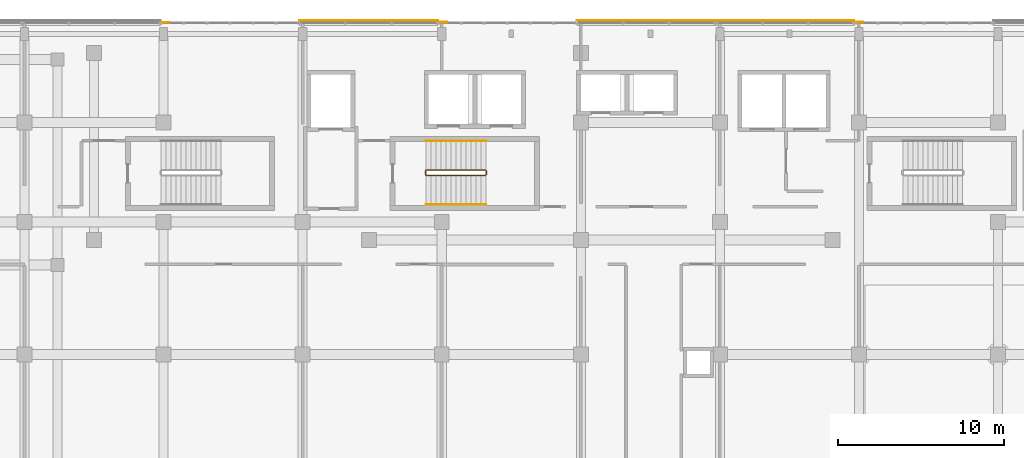
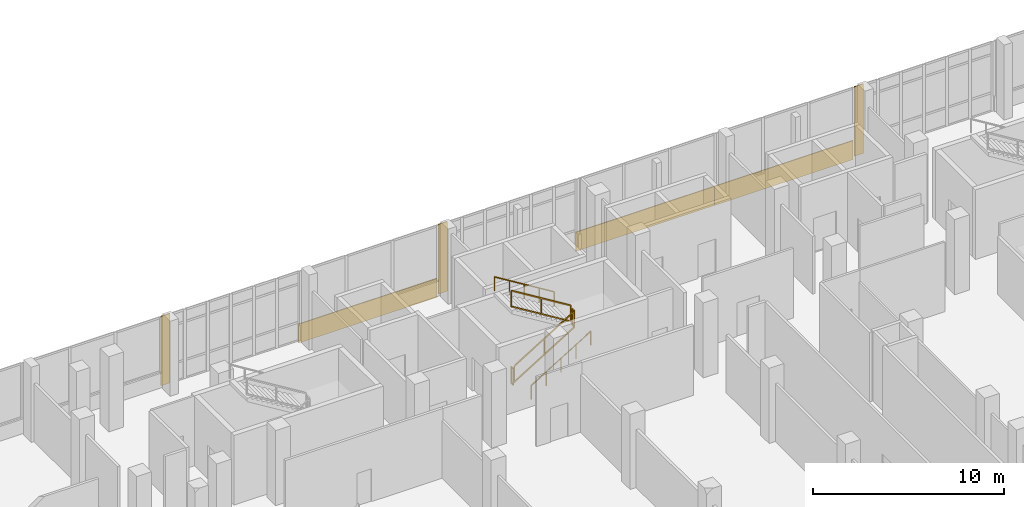
# One storey, part 165 of 168: 6 coverings, 6 railings.
"""IFC4 building model written with IfcOpenShell, lengths in metres."""

from ifc_helpers import new_model, si_unit, direction, frame, origin, origin_2d, place, context, subcontext, project, spatial, rectangle, circle, extrude, material, layer, layer_set, type_object, element, save


model = new_model("IFC4")

# Units and contexts
model_context = context("Model", 3, precision=1e-05, world=origin(), true_north=direction((0.0, 1.0)))
body_context = subcontext(model_context, "Body", "Model", "MODEL_VIEW")
ifc_project = project(units=[si_unit("LENGTHUNIT", "METRE"), si_unit("AREAUNIT", "SQUARE_METRE"), si_unit("VOLUMEUNIT", "CUBIC_METRE"), si_unit("PLANEANGLEUNIT", "RADIAN"), si_unit("MASSUNIT", "GRAM", prefix="KILO")], contexts=[model_context])

# Site, building, storey
site_placement = place(None, origin())
site = spatial("IfcSite", under=ifc_project, at=site_placement, CompositionType="ELEMENT")
building_placement = place(site_placement, origin())
building = spatial("IfcBuilding", under=site, at=building_placement, Name="Selatvlak General Hospital", CompositionType="ELEMENT")
storey_placement = place(building_placement, frame((0.0, 0.0, 5.39990234375)))
storey = spatial("IfcBuildingStorey", under=building, at=storey_placement, Name="L01", CompositionType="ELEMENT", Elevation=5.39990234375)

# Coverings
ifc_material_1 = material(Name="White Bauhaus fair-faced cladding panel")
ifc_layer = layer(ifc_material_1, 0.054931640625, Name="White Bauhaus fair-faced cladding panel")
ifc_layer_set = layer_set([ifc_layer], Name="White Bauhaus fair-faced cladding panel")
covering_type = type_object("IfcCoveringType", Name="COV-WHT1", PredefinedType="CLADDING", material=ifc_layer_set)
covering_1_placement = place(storey_placement, frame((90.094970703125, 120.0439453125, 0.00048828125), z_axis=(0.0, 0.0, 1.0), x_axis=(1.0, 0.0, 0.0)))
element("IfcCovering", 1, at=covering_1_placement, inside=storey, type_object=covering_type, Name="L01 Bauhaus vertical core pilaster 0059", PredefinedType="CLADDING", context=body_context, shape_type="SweptSolid", body=[
    extrude(rectangle(XDim=0.550048828125, YDim=0.054931640625, at=origin_2d()), origin(), (0.0, 0.0, 1.0), 4.445068359375),
])
covering_2_placement = place(storey_placement, frame((102.388916015625, 120.1640625, -0.27978515625), z_axis=(0.0, 0.0, 1.0), x_axis=(0.999999992537, 0.000122173047, 0.0)))
element("IfcCovering", 2, at=covering_2_placement, inside=storey, type_object=covering_type, Name="L01 Bauhaus horizontal white spandrel band 0060", PredefinedType="CLADDING", context=body_context, shape_type="SweptSolid", body=[
    extrude(rectangle(XDim=8.37890625, YDim=0.054931640625, at=origin_2d()), origin(), (0.0, 0.0, 1.0), 1.219970703125),
])
covering_3_placement = place(storey_placement, frame((106.85400390625, 120.044921875, 0.00048828125), z_axis=(0.0, 0.0, 1.0), x_axis=(1.0, 0.0, 0.0)))
element("IfcCovering", 3, at=covering_3_placement, inside=storey, type_object=covering_type, Name="L01 Bauhaus vertical core pilaster 0061", PredefinedType="CLADDING", context=body_context, shape_type="SweptSolid", body=[
    extrude(rectangle(XDim=0.550048828125, YDim=0.054931640625, at=origin_2d()), origin(), (0.0, 0.0, 1.0), 4.445068359375),
])
for number, where, z_axis, x_axis, name in (
    (4, (119.14892578125, 120.1650390625, -0.27978515625), (0.0, 0.0, 1.0), (1.0, 0.0, 0.0), "L01 Bauhaus horizontal white spandrel band 0062"),
    (5, (127.529052734375, 120.1650390625, -0.27978515625), (0.0, 0.0, 1.0), (1.0, 0.0, 0.0), "L01 Bauhaus horizontal white spandrel band 0063"),
):
    element("IfcCovering", number, at=place(storey_placement, frame(where, z_axis=z_axis, x_axis=x_axis)), inside=storey, type_object=covering_type, Name=name, PredefinedType="CLADDING", context=body_context, shape_type="SweptSolid", body=[
        extrude(rectangle(XDim=8.3798828125, YDim=0.054931640625, at=origin_2d()), origin(), (0.0, 0.0, 1.0), 1.219970703125),
    ])
covering_4_placement = place(storey_placement, frame((131.993896484375, 120.044921875, 0.00048828125), z_axis=(0.0, 0.0, 1.0), x_axis=(1.0, 0.0, 0.0)))
element("IfcCovering", 6, at=covering_4_placement, inside=storey, type_object=covering_type, Name="L01 Bauhaus vertical core pilaster 0064", PredefinedType="CLADDING", context=body_context, shape_type="SweptSolid", body=[
    extrude(rectangle(XDim=0.550048828125, YDim=0.054931640625, at=origin_2d()), origin(), (0.0, 0.0, 1.0), 4.445068359375),
])

# Railings
ifc_material_2 = material(Name="Stainless steel 316 stair guard", Category="steel")
railing_type_1 = type_object("IfcRailingType", Name="RAIL-STG", PredefinedType="GUARDRAIL", material=ifc_material_2)
railing_1_placement = place(storey_placement, frame((105.860107421875, 110.81005859375, 0.184814453125)))
element("IfcRailing", 7, at=railing_1_placement, inside=storey, type_object=railing_type_1, Name="L01 ST-03 stair guard 1", PredefinedType="GUARDRAIL", context=body_context, shape_type="SweptSolid", body=[
    extrude(rectangle(XDim=0.068115234375, YDim=0.068115234375, at=origin_2d()), frame((0.00244140625, 0.0, 1.067626953125), z_axis=(0.851654350407, 0.0, 0.524103870844), x_axis=(0.0, 1.0, 0.0)), (0.0, 0.0, 1.0), 4.220947265625),
    extrude(rectangle(XDim=0.068115234375, YDim=0.068115234375, at=origin_2d()), frame((0.00244140625, 0.0, 0.050537109375), z_axis=(0.851654350407, 0.0, 0.524103870844), x_axis=(0.0, 1.0, 0.0)), (0.0, 0.0, 1.0), 4.220947265625),
    extrude(rectangle(XDim=0.055908203125, YDim=0.055908203125, at=origin_2d()), origin(), (0.0, 0.0, 1.0), 1.029052734375),
    extrude(rectangle(XDim=0.055908203125, YDim=0.055908203125, at=origin_2d()), frame((1.7998046875, 0.0, 1.107666015625)), (0.0, 0.0, 1.0), 1.029052734375),
    extrude(rectangle(XDim=0.055908203125, YDim=0.055908203125, at=origin_2d()), frame((3.599853515625, 0.0, 2.21533203125)), (0.0, 0.0, 1.0), 1.029052734375),
])
railing_2_placement = place(storey_placement, frame((109.510009765625, 110.860107421875, 2.400146484375)))
element("IfcRailing", 8, at=railing_2_placement, inside=storey, type_object=railing_type_1, Name="L01 ST-03 stair guard 2", PredefinedType="GUARDRAIL", context=body_context, shape_type="SweptSolid", body=[
    extrude(rectangle(XDim=0.068115234375, YDim=0.068115234375, at=origin_2d()), frame((0.0, 0.0029296875, 1.06591796875), z_axis=(0.0, 1.0, 0.0), x_axis=(-1.0, 0.0, 0.0)), (0.0, 0.0, 1.0), 0.214111328125),
    extrude(rectangle(XDim=0.068115234375, YDim=0.068115234375, at=origin_2d()), frame((0.0, 0.0029296875, 0.049072265625), z_axis=(0.0, 1.0, 0.0), x_axis=(-1.0, 0.0, 0.0)), (0.0, 0.0, 1.0), 0.214111328125),
    extrude(rectangle(XDim=0.055908203125, YDim=0.055908203125, at=origin_2d()), origin(), (0.0, 0.0, 1.0), 1.029052734375),
    extrude(rectangle(XDim=0.055908203125, YDim=0.055908203125, at=origin_2d()), frame((0.0, 0.219970703125, 0.0)), (0.0, 0.0, 1.0), 1.029052734375),
])
railing_3_placement = place(storey_placement, frame((109.4599609375, 111.1298828125, 2.584716796875)))
element("IfcRailing", 9, at=railing_3_placement, inside=storey, type_object=railing_type_1, Name="L01 ST-03 stair guard 3", PredefinedType="GUARDRAIL", context=body_context, shape_type="SweptSolid", body=[
    extrude(rectangle(XDim=0.068115234375, YDim=0.068115234375, at=origin_2d()), frame((-0.00244140625, 0.0, 1.067626953125), z_axis=(-0.851654350407, 0.0, 0.524103870844), x_axis=(0.0, -1.0, 0.0)), (0.0, 0.0, 1.0), 4.220947265625),
    extrude(rectangle(XDim=0.068115234375, YDim=0.068115234375, at=origin_2d()), frame((-0.00244140625, 0.0, 0.050537109375), z_axis=(-0.851654350407, 0.0, 0.524103870844), x_axis=(0.0, -1.0, 0.0)), (0.0, 0.0, 1.0), 4.220947265625),
    extrude(rectangle(XDim=0.055908203125, YDim=0.055908203125, at=origin_2d()), origin(), (0.0, 0.0, 1.0), 1.029052734375),
    extrude(rectangle(XDim=0.055908203125, YDim=0.055908203125, at=origin_2d()), frame((-1.7998046875, 0.0, 1.107666015625)), (0.0, 0.0, 1.0), 1.029052734375),
    extrude(rectangle(XDim=0.055908203125, YDim=0.055908203125, at=origin_2d()), frame((-3.599853515625, 0.0, 2.21533203125)), (0.0, 0.0, 1.0), 1.029052734375),
])
railing_4_placement = place(storey_placement, frame((105.81005859375, 110.860107421875, 0.0)))
element("IfcRailing", 10, at=railing_4_placement, inside=storey, type_object=railing_type_1, Name="L01 ST-03 stair guard 4", PredefinedType="GUARDRAIL", context=body_context, shape_type="SweptSolid", body=[
    extrude(rectangle(XDim=0.068115234375, YDim=0.068115234375, at=origin_2d()), frame((0.0, 0.0029296875, 1.06591796875), z_axis=(0.0, 1.0, 0.0), x_axis=(-1.0, 0.0, 0.0)), (0.0, 0.0, 1.0), 0.214111328125),
    extrude(rectangle(XDim=0.068115234375, YDim=0.068115234375, at=origin_2d()), frame((0.0, 0.0029296875, 0.049072265625), z_axis=(0.0, 1.0, 0.0), x_axis=(-1.0, 0.0, 0.0)), (0.0, 0.0, 1.0), 0.214111328125),
    extrude(rectangle(XDim=0.055908203125, YDim=0.055908203125, at=origin_2d()), origin(), (0.0, 0.0, 1.0), 1.029052734375),
    extrude(rectangle(XDim=0.055908203125, YDim=0.055908203125, at=origin_2d()), frame((0.0, 0.219970703125, 0.0)), (0.0, 0.0, 1.0), 1.029052734375),
])
ifc_material_3 = material(Name="Stainless steel 316 handrail", Category="steel")
railing_type_2 = type_object("IfcRailingType", Name="RAIL-STH", PredefinedType="HANDRAIL", material=ifc_material_3)
railing_5_placement = place(storey_placement, frame((105.860107421875, 109.050048828125, 0.184814453125)))
element("IfcRailing", 11, at=railing_5_placement, inside=storey, type_object=railing_type_2, Name="L01 ST-03 stair handrail 1", PredefinedType="HANDRAIL", context=body_context, shape_type="SweptSolid", body=[
    extrude(circle(Radius=0.02392578125, at=origin_2d()), frame((0.00244140625, 0.0, 0.87744140625), z_axis=(0.851654350407, 0.0, 0.524103870844), x_axis=(0.0, 1.0, 0.0)), (0.0, 0.0, 1.0), 4.220947265625),
    extrude(circle(Radius=0.02099609375, at=origin_2d()), origin(), (0.0, 0.0, 1.0), 0.848876953125),
    extrude(circle(Radius=0.02099609375, at=origin_2d()), frame((0.89990234375, 0.0, 0.5537109375)), (0.0, 0.0, 1.0), 0.848876953125),
    extrude(circle(Radius=0.02099609375, at=origin_2d()), frame((1.7998046875, 0.0, 1.107666015625)), (0.0, 0.0, 1.0), 0.848876953125),
    extrude(circle(Radius=0.02099609375, at=origin_2d()), frame((2.699951171875, 0.0, 1.66162109375)), (0.0, 0.0, 1.0), 0.848876953125),
    extrude(circle(Radius=0.02099609375, at=origin_2d()), frame((3.599853515625, 0.0, 2.21533203125)), (0.0, 0.0, 1.0), 0.848876953125),
])
railing_6_placement = place(storey_placement, frame((109.4599609375, 112.889892578125, 2.584716796875)))
element("IfcRailing", 12, at=railing_6_placement, inside=storey, type_object=railing_type_2, Name="L01 ST-03 stair handrail 2", PredefinedType="HANDRAIL", context=body_context, shape_type="SweptSolid", body=[
    extrude(circle(Radius=0.02392578125, at=origin_2d()), frame((-0.00244140625, 0.0, 0.87744140625), z_axis=(-0.851654350407, 0.0, 0.524103870844), x_axis=(0.0, -1.0, 0.0)), (0.0, 0.0, 1.0), 4.220947265625),
    extrude(circle(Radius=0.02099609375, at=origin_2d()), origin(), (0.0, 0.0, 1.0), 0.848876953125),
    extrude(circle(Radius=0.02099609375, at=origin_2d()), frame((-0.89990234375, 0.0, 0.5537109375)), (0.0, 0.0, 1.0), 0.848876953125),
    extrude(circle(Radius=0.02099609375, at=origin_2d()), frame((-1.7998046875, 0.0, 1.107666015625)), (0.0, 0.0, 1.0), 0.848876953125),
    extrude(circle(Radius=0.02099609375, at=origin_2d()), frame((-2.699951171875, 0.0, 1.66162109375)), (0.0, 0.0, 1.0), 0.848876953125),
    extrude(circle(Radius=0.02099609375, at=origin_2d()), frame((-3.599853515625, 0.0, 2.21533203125)), (0.0, 0.0, 1.0), 0.848876953125),
])

save(model, "model.ifc")
